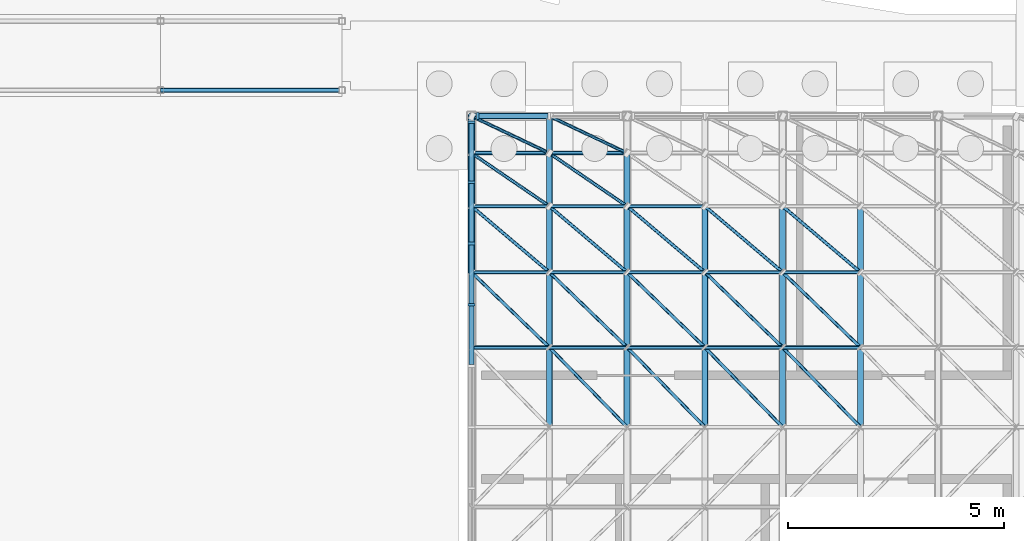
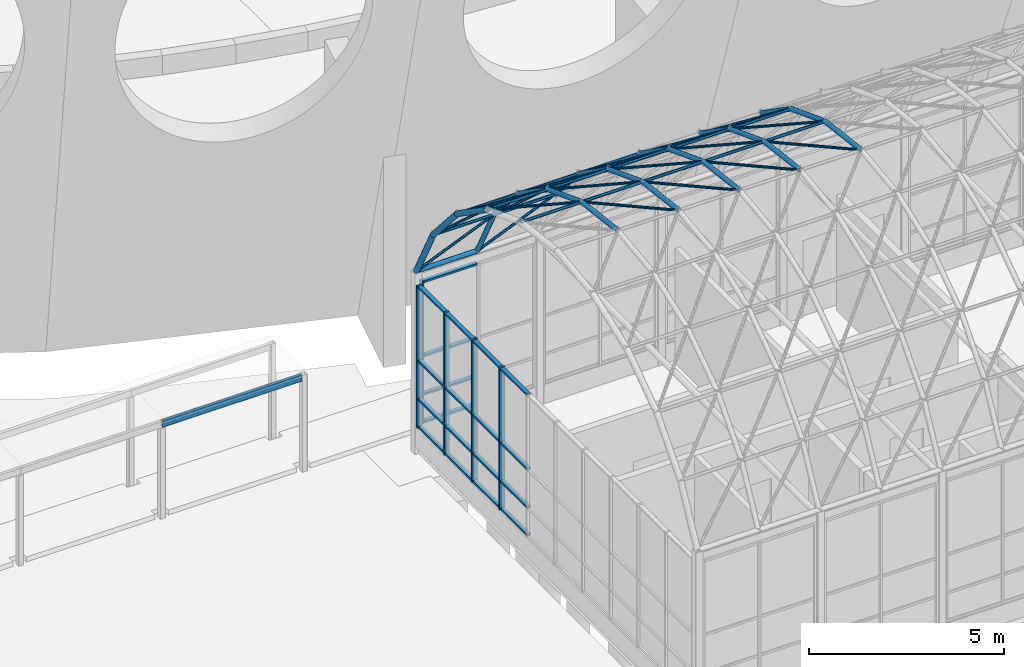
# One storey, part 26 of 116: 80 members, 1 beam, 2 elements without a shape of their own.
"""IFC4 building model written with IfcOpenShell, lengths in metres."""

import ifcopenshell
import ifcopenshell.guid

model = None  # the IFC model being written
_history = None  # IfcOwnerHistory: only IFC2X3 demands one
_inside = {}  # id of a spatial element -> (the spatial element, [elements in it])
_under = {}  # id of a project, library or spatial element -> (it, [spatial elements below it])
_declared = {}  # id of a project -> (the project, [libraries it declares])
_typed = {}  # id of a type object -> (the type object, [elements of that type])
_made_of = {}  # id of a material, layer set ... -> (it, [elements and type objects made of it])


def new_model(schema):
    """Start an empty IFC model of exactly this schema.

    Asked for "IFC4X3", IfcOpenShell would pick the latest addendum, in which some entities
    have other attributes; the version numbers below select the first issue.
    IFC2X3 requires an IfcOwnerHistory on every rooted entity: one is made here for all.
    """
    global model, _history
    if schema == "IFC4X3":
        model = ifcopenshell.file(schema_version=(4, 3, 0, 0))
    else:
        model = ifcopenshell.file(schema=schema)
    _inside.clear()
    _under.clear()
    _declared.clear()
    _typed.clear()
    _made_of.clear()
    _history = None
    if model.schema == "IFC2X3":
        org = make("IfcOrganization", Name="unknown")
        user = make(
            "IfcPersonAndOrganization",
            ThePerson=make("IfcPerson", FamilyName="unknown"),
            TheOrganization=org,
        )
        app = make(
            "IfcApplication",
            ApplicationDeveloper=org,
            Version="unknown",
            ApplicationFullName="unknown",
            ApplicationIdentifier="unknown",
        )
        _history = make(
            "IfcOwnerHistory",
            OwningUser=user,
            OwningApplication=app,
            ChangeAction="ADDED",
            CreationDate=0,
        )
    return model


def make(cls, **values):
    """One entity of the class cls with the attributes given. An attribute that is None is left unset."""
    return model.create_entity(
        cls, **{name: value for name, value in values.items() if value is not None}
    )


def rooted(cls, **values):
    """An entity with a GlobalId (a new one), such as an element, a storey or a relation."""
    return make(cls, GlobalId=ifcopenshell.guid.new(), OwnerHistory=_history, **values)


def si_unit(unit_type, name, prefix=None):
    """IfcSIUnit, for example si_unit("LENGTHUNIT", "METRE", prefix="MILLI")."""
    return make("IfcSIUnit", UnitType=unit_type, Prefix=prefix, Name=name)


def assignment(units):
    """IfcUnitAssignment: the units of a project."""
    return None if units is None else make("IfcUnitAssignment", Units=units)


def point(xyz):
    """IfcCartesianPoint."""
    return None if xyz is None else make("IfcCartesianPoint", Coordinates=xyz)


def direction(xyz):
    """IfcDirection."""
    return None if xyz is None else make("IfcDirection", DirectionRatios=xyz)


def frame(location, z_axis=None, x_axis=None):
    """IfcAxis2Placement3D, a coordinate frame: its origin and axes. An axis left out is left unset."""
    return make(
        "IfcAxis2Placement3D",
        Location=point(location),
        Axis=direction(z_axis),
        RefDirection=direction(x_axis),
    )


def frame_2d(location, x_axis=None):
    """IfcAxis2Placement2D, a coordinate frame in the plane: its origin and x axis."""
    return make(
        "IfcAxis2Placement2D", Location=point(location), RefDirection=direction(x_axis)
    )


def origin():
    """The frame at (0, 0, 0) with its axes left unset."""
    return frame((0.0, 0.0, 0.0))


def origin_2d():
    """The frame at (0, 0) in the plane with its x axis left unset."""
    return frame_2d((0.0, 0.0))


def place(relative_to, where):
    """IfcLocalPlacement: puts the frame where relative to a parent placement (None: the world)."""
    return make(
        "IfcLocalPlacement", PlacementRelTo=relative_to, RelativePlacement=where
    )


def context(
    kind, dimensions, precision=None, world=None, true_north=None, identifier=None
):
    """IfcGeometricRepresentationContext, for example the 3D "Model" context."""
    return make(
        "IfcGeometricRepresentationContext",
        ContextIdentifier=identifier,
        ContextType=kind,
        CoordinateSpaceDimension=dimensions,
        Precision=precision,
        WorldCoordinateSystem=world,
        TrueNorth=true_north,
    )


def subcontext(parent, identifier, kind, view, scale=None):
    """IfcGeometricRepresentationSubContext, for example "Body" below "Model"."""
    return make(
        "IfcGeometricRepresentationSubContext",
        ContextIdentifier=identifier,
        ContextType=kind,
        ParentContext=parent,
        TargetScale=scale,
        TargetView=view,
    )


def project(units=None, contexts=None):
    """IfcProject with its units and contexts."""
    return rooted(
        "IfcProject",
        Name="project",
        RepresentationContexts=contexts,
        UnitsInContext=assignment(units),
    )


def spatial(cls, under=None, at=None, **own):
    """A site, building, storey or space (cls), placed at a placement, below another one or the project."""
    s = rooted(cls, ObjectPlacement=at, **own)
    if under is not None:
        _under.setdefault(under.id(), (under, []))[1].append(s)
    return s


def profile(cls, at=None, kind="AREA", **sizes):
    """A parametric profile (cls). Its sizes go by their IFC names, for example OverallWidth=200.0."""
    return make(cls, ProfileType=kind, Position=at, **sizes)


def rectangle(**sizes):
    """IfcRectangleProfileDef."""
    return profile("IfcRectangleProfileDef", **sizes)


def hollow_rectangle(**sizes):
    """IfcRectangleHollowProfileDef."""
    return profile("IfcRectangleHollowProfileDef", **sizes)


def hollow_circle(**sizes):
    """IfcCircleHollowProfileDef."""
    return profile("IfcCircleHollowProfileDef", **sizes)


def extrude(swept, where, along, depth):
    """IfcExtrudedAreaSolid: the profile swept, set in the frame where, extruded along a direction by depth."""
    return make(
        "IfcExtrudedAreaSolid",
        SweptArea=swept,
        Position=where,
        ExtrudedDirection=direction(along),
        Depth=depth,
    )


def shape(context_of_items, identifier, shape_type, items):
    """IfcShapeRepresentation: the items that make up one representation, for example the "Body"."""
    return make(
        "IfcShapeRepresentation",
        ContextOfItems=context_of_items,
        RepresentationIdentifier=identifier,
        RepresentationType=shape_type,
        Items=items,
    )


def material(Name=None, Category=None):
    """IfcMaterial."""
    return make("IfcMaterial", Name=Name, Category=Category)


def layer(
    of_material, thickness, ventilated=None, Name=None, Category=None, Priority=None
):
    """IfcMaterialLayer: one layer of a wall or slab, of a material (None: an air gap)."""
    return make(
        "IfcMaterialLayer",
        Material=of_material,
        LayerThickness=thickness,
        IsVentilated=ventilated,
        Name=Name,
        Category=Category,
        Priority=Priority,
    )


def layer_set(layers, Name=None):
    """IfcMaterialLayerSet."""
    return make("IfcMaterialLayerSet", MaterialLayers=layers, LayerSetName=Name)


def material_profile(
    of_material, cross_section, Name=None, Category=None, Priority=None
):
    """IfcMaterialProfile: a cross section and its material."""
    return make(
        "IfcMaterialProfile",
        Name=Name,
        Material=of_material,
        Profile=cross_section,
        Priority=Priority,
        Category=Category,
    )


def profile_set(profiles, Name=None, composite=None):
    """IfcMaterialProfileSet."""
    return make(
        "IfcMaterialProfileSet",
        Name=Name,
        MaterialProfiles=profiles,
        CompositeProfile=composite,
    )


def made_of(thing, what):
    """Note that an element or type object is made of a material, layer set ...; save() writes the relation."""
    if what is not None:
        _made_of.setdefault(what.id(), (what, []))[1].append(thing)
    return thing


def type_object(cls, material=None, **own):
    """A type object (cls), such as IfcWallType, which elements share."""
    return made_of(rooted(cls, **own), material)


def element(
    cls,
    number,
    at=None,
    inside=None,
    cuts=None,
    type_object=None,
    material=None,
    context=None,
    identifier="Body",
    shape_type=None,
    held_by="IfcProductDefinitionShape",
    body=None,
    shapes=None,
    **own,
):
    """One element of the class cls, such as IfcWall. Its Tag is "e" and its number.

    at: its placement. inside: the storey or other place that contains it. cuts: it is an
    opening in that element (IfcRelVoidsElement). A single representation is given by context,
    identifier, shape_type and body (its items); several are given by shapes. held_by: the class
    of the entity that holds the representations. save() writes the other relations.
    """
    e = rooted(cls, Tag="e%d" % number, ObjectPlacement=at, **own)
    if body is not None:
        shapes = [shape(context, identifier, shape_type, body)]
    if shapes is not None:
        e.Representation = make(held_by, Representations=shapes)
    if inside is not None:
        _inside.setdefault(inside.id(), (inside, []))[1].append(e)
    if cuts is not None:
        rooted(
            "IfcRelVoidsElement", RelatingBuildingElement=cuts, RelatedOpeningElement=e
        )
    if type_object is not None:
        _typed.setdefault(type_object.id(), (type_object, []))[1].append(e)
    return made_of(e, material)


def aggregate(whole, parts):
    """IfcRelAggregates: a whole, such as a stair, and the parts it consists of."""
    return rooted("IfcRelAggregates", RelatingObject=whole, RelatedObjects=parts)


def save(model, path):
    """Write the relations noted so far, then the file.

    IfcRelAggregates (storeys below a building ...), IfcRelContainedInSpatialStructure (elements
    in a storey), IfcRelDefinesByType, IfcRelAssociatesMaterial and IfcRelDeclares: one each for
    every whole, place, type object, material and project.
    """
    for whole, parts in _under.values():
        aggregate(whole, parts)
    for where, things in _inside.values():
        rooted(
            "IfcRelContainedInSpatialStructure",
            RelatedElements=things,
            RelatingStructure=where,
        )
    for kind, things in _typed.values():
        rooted("IfcRelDefinesByType", RelatedObjects=things, RelatingType=kind)
    for what, things in _made_of.values():
        rooted("IfcRelAssociatesMaterial", RelatedObjects=things, RelatingMaterial=what)
    for by, libraries in _declared.values():
        rooted("IfcRelDeclares", RelatingContext=by, RelatedDefinitions=libraries)
    model.write(path)


model = new_model("IFC4")

# Units and contexts
model_context = context("Model", 3, precision=1e-05, world=origin(), true_north=direction((0.0, 1.0)))
body_context = subcontext(model_context, "Body", "Model", "MODEL_VIEW")
ifc_project = project(units=[si_unit("LENGTHUNIT", "METRE"), si_unit("AREAUNIT", "SQUARE_METRE"), si_unit("VOLUMEUNIT", "CUBIC_METRE"), si_unit("PLANEANGLEUNIT", "RADIAN"), si_unit("MASSUNIT", "GRAM", prefix="KILO")], contexts=[model_context])

# Site, building, storey
site_placement = place(None, origin())
site = spatial("IfcSite", under=ifc_project, at=site_placement, CompositionType="ELEMENT")
building_placement = place(site_placement, origin())
building = spatial("IfcBuilding", under=site, at=building_placement, Name="Ardhachandra Cancer Care Centre", CompositionType="ELEMENT")
storey_placement = place(building_placement, origin())
storey = spatial("IfcBuildingStorey", under=building, at=storey_placement, Name="L00", CompositionType="ELEMENT", Elevation=0.0)

# Curtain wall, member
ifc_material_1 = material(Name="Aluminium extrusion", Category="aluminium")
ifc_layer = layer(ifc_material_1, 0.14990234375)
ifc_layer_set = layer_set([ifc_layer], Name="Aluminium extrusion")
curtain_wall_type = type_object("IfcCurtainWallType", Name="Curtain wall run", PredefinedType="NOTDEFINED", material=ifc_layer_set)
curtain_wall_1_placement = place(storey_placement, origin())
curtain_wall_1 = element("IfcCurtainWall", 1, at=curtain_wall_1_placement, inside=storey, type_object=curtain_wall_type, Name="Curtain wall L00 n/0063600_0021600", PredefinedType="NOTDEFINED")
ifc_material_2 = material(Name="Aluminium extrusion", Category="aluminium")
ifc_material_profile_1 = material_profile(ifc_material_2, rectangle(XDim=0.159912109375, YDim=0.06005859375, at=origin_2d()), Name="Curtain wall mullion 60 x 160")
ifc_profile_set_1 = profile_set([ifc_material_profile_1], Name="Aluminium extrusion")
member_type_1 = type_object("IfcMemberType", Name="Curtain wall mullion 60 x 160", PredefinedType="MULLION", material=ifc_profile_set_1)
member_1_placement = place(storey_placement, frame((63.7451171875, 21.60009765625, 0.60009765625), z_axis=(0.0, 0.0, 1.0), x_axis=(0.0, 1.0, 0.0)))
member_1 = element("IfcMember", 2, at=member_1_placement, type_object=member_type_1, Name="CW mullion 1", PredefinedType="MULLION", context=body_context, shape_type="SweptSolid", body=[
    extrude(rectangle(XDim=0.159912109375, YDim=0.06005859375, at=origin_2d()), origin(), (0.0, 0.0, 1.0), 4.449951171875),
])

# Curtain wall, members
curtain_wall_2_placement = place(storey_placement, origin())
curtain_wall_2 = element("IfcCurtainWall", 3, at=curtain_wall_2_placement, inside=storey, type_object=curtain_wall_type, Name="Curtain wall L00 w/0063600_0007200", PredefinedType="NOTDEFINED")
member_2_placement = place(storey_placement, frame((63.60009765625, 17.23388671875, 0.60009765625), z_axis=(0.0, 0.0, 1.0), x_axis=(-1.0, 0.0, 0.0)))
member_2 = element("IfcMember", 4, at=member_2_placement, type_object=member_type_1, Name="CW mullion 8", PredefinedType="MULLION", context=body_context, shape_type="SweptSolid", body=[
    extrude(rectangle(XDim=0.159912109375, YDim=0.06005859375, at=origin_2d()), origin(), (0.0, 0.0, 1.0), 4.449951171875),
])
member_3_placement = place(storey_placement, frame((63.60009765625, 18.65087890625, 0.60009765625), z_axis=(0.0, 0.0, 1.0), x_axis=(-1.0, 0.0, 0.0)))
member_3 = element("IfcMember", 5, at=member_3_placement, type_object=member_type_1, Name="CW mullion 9", PredefinedType="MULLION", context=body_context, shape_type="SweptSolid", body=[
    extrude(rectangle(XDim=0.159912109375, YDim=0.06005859375, at=origin_2d()), origin(), (0.0, 0.0, 1.0), 4.449951171875),
])
member_4_placement = place(storey_placement, frame((63.60009765625, 20.068115234375, 0.60009765625), z_axis=(0.0, 0.0, 1.0), x_axis=(-1.0, 0.0, 0.0)))
member_4 = element("IfcMember", 6, at=member_4_placement, type_object=member_type_1, Name="CW mullion 10", PredefinedType="MULLION", context=body_context, shape_type="SweptSolid", body=[
    extrude(rectangle(XDim=0.159912109375, YDim=0.06005859375, at=origin_2d()), origin(), (0.0, 0.0, 1.0), 4.449951171875),
])
member_5_placement = place(storey_placement, frame((63.60009765625, 21.455078125, 0.60009765625), z_axis=(0.0, 0.0, 1.0), x_axis=(-1.0, 0.0, 0.0)))
member_5 = element("IfcMember", 7, at=member_5_placement, type_object=member_type_1, Name="CW mullion 11", PredefinedType="MULLION", context=body_context, shape_type="SweptSolid", body=[
    extrude(rectangle(XDim=0.159912109375, YDim=0.06005859375, at=origin_2d()), origin(), (0.0, 0.0, 1.0), 4.449951171875),
])

# Member
ifc_material_3 = material(Name="Aluminium extrusion", Category="aluminium")
ifc_material_profile_2 = material_profile(ifc_material_3, rectangle(XDim=0.1201171875, YDim=0.06005859375, at=origin_2d()), Name="Curtain wall transom 60 x 120")
ifc_profile_set_2 = profile_set([ifc_material_profile_2], Name="Aluminium extrusion")
member_type_2 = type_object("IfcMemberType", Name="Curtain wall transom 60 x 120", PredefinedType="USERDEFINED", material=ifc_profile_set_2)
member_6_placement = place(storey_placement, frame((63.77490234375, 21.60009765625, 0.6298828125), z_axis=(1.0, 0.0, 0.0), x_axis=(0.0, 1.0, 0.0)))
member_6 = element("IfcMember", 8, at=member_6_placement, type_object=member_type_2, Name="CW transom 1.1", ObjectType="TRANSOM", PredefinedType="USERDEFINED", context=body_context, shape_type="SweptSolid", body=[
    extrude(rectangle(XDim=0.1201171875, YDim=0.06005859375, at=origin_2d()), origin(), (0.0, 0.0, 1.0), 1.59521484375),
])

member_7_placement = place(storey_placement, frame((63.77490234375, 21.60009765625, 1.5), z_axis=(1.0, 0.0, 0.0), x_axis=(0.0, 1.0, 0.0)))
member_7 = element("IfcMember", 9, at=member_7_placement, type_object=member_type_2, Name="CW transom 1.2", ObjectType="TRANSOM", PredefinedType="USERDEFINED", context=body_context, shape_type="SweptSolid", body=[
    extrude(rectangle(XDim=0.1201171875, YDim=0.06005859375, at=origin_2d()), origin(), (0.0, 0.0, 1.0), 1.59521484375),
])

member_8_placement = place(storey_placement, frame((63.77490234375, 21.60009765625, 2.699951171875), z_axis=(1.0, 0.0, 0.0), x_axis=(0.0, 1.0, 0.0)))
member_8 = element("IfcMember", 10, at=member_8_placement, type_object=member_type_2, Name="CW transom 1.3", ObjectType="TRANSOM", PredefinedType="USERDEFINED", context=body_context, shape_type="SweptSolid", body=[
    extrude(rectangle(XDim=0.1201171875, YDim=0.06005859375, at=origin_2d()), origin(), (0.0, 0.0, 1.0), 1.59521484375),
])

member_9_placement = place(storey_placement, frame((63.77490234375, 21.60009765625, 5.02001953125), z_axis=(1.0, 0.0, 0.0), x_axis=(0.0, 1.0, 0.0)))
member_9 = element("IfcMember", 11, at=member_9_placement, type_object=member_type_2, Name="CW transom 1.4", ObjectType="TRANSOM", PredefinedType="USERDEFINED", context=body_context, shape_type="SweptSolid", body=[
    extrude(rectangle(XDim=0.1201171875, YDim=0.06005859375, at=origin_2d()), origin(), (0.0, 0.0, 1.0), 1.59521484375),
])

aggregate(curtain_wall_1, [member_1, member_6, member_7, member_8, member_9])

member_10_placement = place(storey_placement, frame((63.60009765625, 15.846923828125, 0.6298828125), z_axis=(0.0, 1.0, 0.0), x_axis=(-1.0, 0.0, 0.0)))
member_10 = element("IfcMember", 12, at=member_10_placement, type_object=member_type_2, Name="CW transom 7.1", ObjectType="TRANSOM", PredefinedType="USERDEFINED", context=body_context, shape_type="SweptSolid", body=[
    extrude(rectangle(XDim=0.1201171875, YDim=0.06005859375, at=origin_2d()), origin(), (0.0, 0.0, 1.0), 1.357177734375),
])

member_11_placement = place(storey_placement, frame((63.60009765625, 15.846923828125, 1.5), z_axis=(0.0, 1.0, 0.0), x_axis=(-1.0, 0.0, 0.0)))
member_11 = element("IfcMember", 13, at=member_11_placement, type_object=member_type_2, Name="CW transom 7.2", ObjectType="TRANSOM", PredefinedType="USERDEFINED", context=body_context, shape_type="SweptSolid", body=[
    extrude(rectangle(XDim=0.1201171875, YDim=0.06005859375, at=origin_2d()), origin(), (0.0, 0.0, 1.0), 1.357177734375),
])

member_12_placement = place(storey_placement, frame((63.60009765625, 15.846923828125, 2.699951171875), z_axis=(0.0, 1.0, 0.0), x_axis=(-1.0, 0.0, 0.0)))
member_12 = element("IfcMember", 14, at=member_12_placement, type_object=member_type_2, Name="CW transom 7.3", ObjectType="TRANSOM", PredefinedType="USERDEFINED", context=body_context, shape_type="SweptSolid", body=[
    extrude(rectangle(XDim=0.1201171875, YDim=0.06005859375, at=origin_2d()), origin(), (0.0, 0.0, 1.0), 1.357177734375),
])

member_13_placement = place(storey_placement, frame((63.60009765625, 15.846923828125, 5.02001953125), z_axis=(0.0, 1.0, 0.0), x_axis=(-1.0, 0.0, 0.0)))
member_13 = element("IfcMember", 15, at=member_13_placement, type_object=member_type_2, Name="CW transom 7.4", ObjectType="TRANSOM", PredefinedType="USERDEFINED", context=body_context, shape_type="SweptSolid", body=[
    extrude(rectangle(XDim=0.1201171875, YDim=0.06005859375, at=origin_2d()), origin(), (0.0, 0.0, 1.0), 1.357177734375),
])

member_14_placement = place(storey_placement, frame((63.60009765625, 17.263916015625, 0.6298828125), z_axis=(0.0, 1.0, 0.0), x_axis=(-1.0, 0.0, 0.0)))
member_14 = element("IfcMember", 16, at=member_14_placement, type_object=member_type_2, Name="CW transom 8.1", ObjectType="TRANSOM", PredefinedType="USERDEFINED", context=body_context, shape_type="SweptSolid", body=[
    extrude(rectangle(XDim=0.1201171875, YDim=0.06005859375, at=origin_2d()), origin(), (0.0, 0.0, 1.0), 1.357177734375),
])

member_15_placement = place(storey_placement, frame((63.60009765625, 17.263916015625, 1.5), z_axis=(0.0, 1.0, 0.0), x_axis=(-1.0, 0.0, 0.0)))
member_15 = element("IfcMember", 17, at=member_15_placement, type_object=member_type_2, Name="CW transom 8.2", ObjectType="TRANSOM", PredefinedType="USERDEFINED", context=body_context, shape_type="SweptSolid", body=[
    extrude(rectangle(XDim=0.1201171875, YDim=0.06005859375, at=origin_2d()), origin(), (0.0, 0.0, 1.0), 1.357177734375),
])

member_16_placement = place(storey_placement, frame((63.60009765625, 17.263916015625, 2.699951171875), z_axis=(0.0, 1.0, 0.0), x_axis=(-1.0, 0.0, 0.0)))
member_16 = element("IfcMember", 18, at=member_16_placement, type_object=member_type_2, Name="CW transom 8.3", ObjectType="TRANSOM", PredefinedType="USERDEFINED", context=body_context, shape_type="SweptSolid", body=[
    extrude(rectangle(XDim=0.1201171875, YDim=0.06005859375, at=origin_2d()), origin(), (0.0, 0.0, 1.0), 1.357177734375),
])

member_17_placement = place(storey_placement, frame((63.60009765625, 17.263916015625, 5.02001953125), z_axis=(0.0, 1.0, 0.0), x_axis=(-1.0, 0.0, 0.0)))
member_17 = element("IfcMember", 19, at=member_17_placement, type_object=member_type_2, Name="CW transom 8.4", ObjectType="TRANSOM", PredefinedType="USERDEFINED", context=body_context, shape_type="SweptSolid", body=[
    extrude(rectangle(XDim=0.1201171875, YDim=0.06005859375, at=origin_2d()), origin(), (0.0, 0.0, 1.0), 1.357177734375),
])

member_18_placement = place(storey_placement, frame((63.60009765625, 18.680908203125, 0.6298828125), z_axis=(0.0, 1.0, 0.0), x_axis=(-1.0, 0.0, 0.0)))
member_18 = element("IfcMember", 20, at=member_18_placement, type_object=member_type_2, Name="CW transom 9.1", ObjectType="TRANSOM", PredefinedType="USERDEFINED", context=body_context, shape_type="SweptSolid", body=[
    extrude(rectangle(XDim=0.1201171875, YDim=0.06005859375, at=origin_2d()), origin(), (0.0, 0.0, 1.0), 1.357177734375),
])

member_19_placement = place(storey_placement, frame((63.60009765625, 18.680908203125, 1.5), z_axis=(0.0, 1.0, 0.0), x_axis=(-1.0, 0.0, 0.0)))
member_19 = element("IfcMember", 21, at=member_19_placement, type_object=member_type_2, Name="CW transom 9.2", ObjectType="TRANSOM", PredefinedType="USERDEFINED", context=body_context, shape_type="SweptSolid", body=[
    extrude(rectangle(XDim=0.1201171875, YDim=0.06005859375, at=origin_2d()), origin(), (0.0, 0.0, 1.0), 1.357177734375),
])

member_20_placement = place(storey_placement, frame((63.60009765625, 18.680908203125, 2.699951171875), z_axis=(0.0, 1.0, 0.0), x_axis=(-1.0, 0.0, 0.0)))
member_20 = element("IfcMember", 22, at=member_20_placement, type_object=member_type_2, Name="CW transom 9.3", ObjectType="TRANSOM", PredefinedType="USERDEFINED", context=body_context, shape_type="SweptSolid", body=[
    extrude(rectangle(XDim=0.1201171875, YDim=0.06005859375, at=origin_2d()), origin(), (0.0, 0.0, 1.0), 1.357177734375),
])

member_21_placement = place(storey_placement, frame((63.60009765625, 18.680908203125, 5.02001953125), z_axis=(0.0, 1.0, 0.0), x_axis=(-1.0, 0.0, 0.0)))
member_21 = element("IfcMember", 23, at=member_21_placement, type_object=member_type_2, Name="CW transom 9.4", ObjectType="TRANSOM", PredefinedType="USERDEFINED", context=body_context, shape_type="SweptSolid", body=[
    extrude(rectangle(XDim=0.1201171875, YDim=0.06005859375, at=origin_2d()), origin(), (0.0, 0.0, 1.0), 1.357177734375),
])

member_22_placement = place(storey_placement, frame((63.60009765625, 20.097900390625, 0.6298828125), z_axis=(0.0, 1.0, 0.0), x_axis=(-1.0, 0.0, 0.0)))
member_22 = element("IfcMember", 24, at=member_22_placement, type_object=member_type_2, Name="CW transom 10.1", ObjectType="TRANSOM", PredefinedType="USERDEFINED", context=body_context, shape_type="SweptSolid", body=[
    extrude(rectangle(XDim=0.1201171875, YDim=0.06005859375, at=origin_2d()), origin(), (0.0, 0.0, 1.0), 1.3271484375),
])

member_23_placement = place(storey_placement, frame((63.60009765625, 20.097900390625, 1.5), z_axis=(0.0, 1.0, 0.0), x_axis=(-1.0, 0.0, 0.0)))
member_23 = element("IfcMember", 25, at=member_23_placement, type_object=member_type_2, Name="CW transom 10.2", ObjectType="TRANSOM", PredefinedType="USERDEFINED", context=body_context, shape_type="SweptSolid", body=[
    extrude(rectangle(XDim=0.1201171875, YDim=0.06005859375, at=origin_2d()), origin(), (0.0, 0.0, 1.0), 1.3271484375),
])

member_24_placement = place(storey_placement, frame((63.60009765625, 20.097900390625, 2.699951171875), z_axis=(0.0, 1.0, 0.0), x_axis=(-1.0, 0.0, 0.0)))
member_24 = element("IfcMember", 26, at=member_24_placement, type_object=member_type_2, Name="CW transom 10.3", ObjectType="TRANSOM", PredefinedType="USERDEFINED", context=body_context, shape_type="SweptSolid", body=[
    extrude(rectangle(XDim=0.1201171875, YDim=0.06005859375, at=origin_2d()), origin(), (0.0, 0.0, 1.0), 1.3271484375),
])

member_25_placement = place(storey_placement, frame((63.60009765625, 20.097900390625, 5.02001953125), z_axis=(0.0, 1.0, 0.0), x_axis=(-1.0, 0.0, 0.0)))
member_25 = element("IfcMember", 27, at=member_25_placement, type_object=member_type_2, Name="CW transom 10.4", ObjectType="TRANSOM", PredefinedType="USERDEFINED", context=body_context, shape_type="SweptSolid", body=[
    extrude(rectangle(XDim=0.1201171875, YDim=0.06005859375, at=origin_2d()), origin(), (0.0, 0.0, 1.0), 1.3271484375),
])

aggregate(curtain_wall_2, [member_2, member_3, member_4, member_5, member_10, member_11, member_12, member_13, member_14, member_15, member_16, member_17, member_18, member_19, member_20, member_21, member_22, member_23, member_24, member_25])

# Members
ifc_material_4 = material(Name="Steel E350 (IS 2062)", Category="steel")
ifc_material_profile_3 = material_profile(ifc_material_4, hollow_circle(Radius=0.0380859375, WallThickness=0.00390625, at=origin_2d()), Name="CHS 76.1x4.0")
ifc_profile_set_3 = profile_set([ifc_material_profile_3], Name="Steel E350 (IS 2062)")
member_type_3 = type_object("IfcMemberType", Name="Pavilion shell Diagonal CHS 76.1x4.0", PredefinedType="BRACE", material=ifc_profile_set_3)
for number, where, z_axis, x_axis, name in (
    (28, (65.39990234375, 16.247314453125, 10.174560546875), (-0.695178684757, 0.671698015671, -0.256024162929), (-0.694857345354, -0.71914759932, 0.0), "Pavilion shell diagonal 01-06"),
    (29, (65.39990234375, 17.986328125, 9.51171875), (-0.695188356468, 0.590419736821, -0.410021564558), (-0.647336239479, -0.762204561163, 0.0), "Pavilion shell diagonal 01-07"),
):
    element("IfcMember", number, at=place(storey_placement, frame(where, z_axis=z_axis, x_axis=x_axis)), inside=storey, type_object=member_type_3, Name=name, PredefinedType="BRACE", context=body_context, shape_type="SweptSolid", body=[
        extrude(hollow_circle(Radius=0.0380859375, WallThickness=0.00390625, at=origin_2d()), origin(), (0.0, 0.0, 1.0), 2.5888671875),
    ])
for number, where, z_axis, x_axis, name in (
    (30, (65.39990234375, 19.514892578125, 8.4501953125), (-0.69514836166, 0.474590573011, -0.539937536471), (-0.563844248133, -0.825881143898, 0.0), "Pavilion shell diagonal 01-08"),
    (31, (65.39990234375, 20.74365234375, 7.05224609375), (-0.69516776168, 0.330798766681, -0.638211531613), (-0.429686325077, -0.902978217922, 0.0), "Pavilion shell diagonal 01-09"),
    (32, (67.199951171875, 14.39990234375, 10.39990234375), (-0.695217937392, 0.713510664891, -0.087031894237), (-0.716228375072, -0.697865971905, 0.0), "Pavilion shell diagonal 02-05"),
    (33, (67.199951171875, 16.247314453125, 10.174560546875), (-0.69522740722, 0.671653983674, -0.25600737971), (-0.694808600346, -0.7191946947, 0.0), "Pavilion shell diagonal 02-06"),
    (34, (67.199951171875, 17.986328125, 9.51171875), (-0.695237078341, 0.590381031804, -0.409994685559), (-0.647285228249, -0.762247881788, 0.0), "Pavilion shell diagonal 02-07"),
):
    element("IfcMember", number, at=place(storey_placement, frame(where, z_axis=z_axis, x_axis=x_axis)), inside=storey, type_object=member_type_3, Name=name, PredefinedType="BRACE", context=body_context, shape_type="SweptSolid", body=[
        extrude(hollow_circle(Radius=0.0380859375, WallThickness=0.00390625, at=origin_2d()), origin(), (0.0, 0.0, 1.0), 2.589111328125),
    ])
member_26_placement = place(storey_placement, frame((67.199951171875, 19.514892578125, 8.4501953125), z_axis=(-0.695197085973, 0.474559464764, -0.539902144891), x_axis=(-0.563792083266, -0.825916755398, 0.0)))
element("IfcMember", 35, at=member_26_placement, inside=storey, type_object=member_type_3, Name="Pavilion shell diagonal 02-08", PredefinedType="BRACE", context=body_context, shape_type="SweptSolid", body=[
    extrude(hollow_circle(Radius=0.0380859375, WallThickness=0.00390625, at=origin_2d()), origin(), (0.0, 0.0, 1.0), 2.58935546875),
])
for number, where, z_axis, x_axis, name in (
    (36, (67.199951171875, 20.74365234375, 7.05224609375), (-0.695216484809, 0.330777082424, -0.638169696079), (-0.429638804888, -0.903000829088, 0.0), "Pavilion shell diagonal 02-09"),
    (37, (69.0, 14.39990234375, 10.39990234375), (-0.695217937392, 0.713510664891, -0.087031894237), (-0.716228375072, -0.697865971905, 0.0), "Pavilion shell diagonal 03-05"),
    (38, (69.0, 16.247314453125, 10.174560546875), (-0.69522740722, 0.671653983674, -0.25600737971), (-0.694808600346, -0.7191946947, 0.0), "Pavilion shell diagonal 03-06"),
    (39, (69.0, 17.986328125, 9.51171875), (-0.695237078341, 0.590381031804, -0.409994685559), (-0.647285228249, -0.762247881788, 0.0), "Pavilion shell diagonal 03-07"),
    (40, (70.800048828125, 14.39990234375, 10.39990234375), (-0.695217937392, 0.713510664891, -0.087031894237), (-0.716228375072, -0.697865971905, 0.0), "Pavilion shell diagonal 04-05"),
    (41, (70.800048828125, 16.247314453125, 10.174560546875), (-0.69522740722, 0.671653983674, -0.25600737971), (-0.694808600346, -0.7191946947, 0.0), "Pavilion shell diagonal 04-06"),
    (42, (70.800048828125, 17.986328125, 9.51171875), (-0.695237078341, 0.590381031804, -0.409994685559), (-0.647285228249, -0.762247881788, 0.0), "Pavilion shell diagonal 04-07"),
    (43, (72.60009765625, 14.39990234375, 10.39990234375), (-0.695217937392, 0.713510664891, -0.087031894237), (-0.716228375072, -0.697865971905, 0.0), "Pavilion shell diagonal 05-05"),
    (44, (72.60009765625, 16.247314453125, 10.174560546875), (-0.69522740722, 0.671653983674, -0.25600737971), (-0.694808600346, -0.7191946947, 0.0), "Pavilion shell diagonal 05-06"),
    (45, (72.60009765625, 17.986328125, 9.51171875), (-0.695237078341, 0.590381031804, -0.409994685559), (-0.647285228249, -0.762247881788, 0.0), "Pavilion shell diagonal 05-07"),
):
    element("IfcMember", number, at=place(storey_placement, frame(where, z_axis=z_axis, x_axis=x_axis)), inside=storey, type_object=member_type_3, Name=name, PredefinedType="BRACE", context=body_context, shape_type="SweptSolid", body=[
        extrude(hollow_circle(Radius=0.0380859375, WallThickness=0.00390625, at=origin_2d()), origin(), (0.0, 0.0, 1.0), 2.589111328125),
    ])
ifc_material_5 = material(Name="Steel E350 (IS 2062)", Category="steel")
ifc_material_profile_4 = material_profile(ifc_material_5, hollow_circle(Radius=0.06982421875, WallThickness=0.0048828125, at=origin_2d()), Name="CHS 139.7x5.0")
ifc_profile_set_4 = profile_set([ifc_material_profile_4], Name="Steel E350 (IS 2062)")
member_type_4 = type_object("IfcMemberType", Name="Pavilion shell Purlin CHS 139.7x5.0", PredefinedType="PURLIN", material=ifc_profile_set_4)
member_27_placement = place(storey_placement, frame((63.60009765625, 21.60009765625, 5.39990234375), z_axis=(1.0, 0.0, 0.0), x_axis=(0.0, 1.0, 0.0)))
element("IfcMember", 46, at=member_27_placement, inside=storey, type_object=member_type_4, Name="Pavilion shell purlin 00-10", PredefinedType="PURLIN", context=body_context, shape_type="SweptSolid", body=[
    extrude(hollow_circle(Radius=0.06982421875, WallThickness=0.0048828125, at=origin_2d()), origin(), (0.0, 0.0, 1.0), 1.7998046875),
])
ifc_material_6 = material(Name="Steel E350 (IS 2062)", Category="steel")
ifc_material_profile_5 = material_profile(ifc_material_6, hollow_circle(Radius=0.04443359375, WallThickness=0.00390625, at=origin_2d()), Name="CHS 88.9x4.0")
ifc_profile_set_5 = profile_set([ifc_material_profile_5], Name="Steel E350 (IS 2062)")
member_type_5 = type_object("IfcMemberType", Name="Pavilion shell Purlin CHS 88.9x4.0", PredefinedType="PURLIN", material=ifc_profile_set_5)
member_28_placement = place(storey_placement, frame((63.60009765625, 16.247314453125, 10.174560546875), z_axis=(1.0, 0.0, 0.0), x_axis=(0.0, 1.0, 0.0)))
element("IfcMember", 47, at=member_28_placement, inside=storey, type_object=member_type_5, Name="Pavilion shell purlin 00-06", PredefinedType="PURLIN", context=body_context, shape_type="SweptSolid", body=[
    extrude(hollow_circle(Radius=0.04443359375, WallThickness=0.00390625, at=origin_2d()), origin(), (0.0, 0.0, 1.0), 1.7998046875),
])
for number, where, z_axis, x_axis, name in (
    (48, (65.39990234375, 16.247314453125, 10.174560546875), (1.0, 0.0, 0.0), (0.0, 1.0, 0.0), "Pavilion shell purlin 01-06"),
    (49, (67.199951171875, 16.247314453125, 10.174560546875), (1.0, 0.0, 0.0), (0.0, 1.0, 0.0), "Pavilion shell purlin 02-06"),
    (50, (69.0, 16.247314453125, 10.174560546875), (1.0, 0.0, 0.0), (0.0, 1.0, 0.0), "Pavilion shell purlin 03-06"),
    (51, (70.800048828125, 16.247314453125, 10.174560546875), (1.0, 0.0, 0.0), (0.0, 1.0, 0.0), "Pavilion shell purlin 04-06"),
):
    element("IfcMember", number, at=place(storey_placement, frame(where, z_axis=z_axis, x_axis=x_axis)), inside=storey, type_object=member_type_5, Name=name, PredefinedType="PURLIN", context=body_context, shape_type="SweptSolid", body=[
        extrude(hollow_circle(Radius=0.04443359375, WallThickness=0.00390625, at=origin_2d()), origin(), (0.0, 0.0, 1.0), 1.800048828125),
    ])
member_29_placement = place(storey_placement, frame((63.60009765625, 17.986328125, 9.51171875), z_axis=(1.0, 0.0, 0.0), x_axis=(0.0, 1.0, 0.0)))
element("IfcMember", 52, at=member_29_placement, inside=storey, type_object=member_type_5, Name="Pavilion shell purlin 00-07", PredefinedType="PURLIN", context=body_context, shape_type="SweptSolid", body=[
    extrude(hollow_circle(Radius=0.04443359375, WallThickness=0.00390625, at=origin_2d()), origin(), (0.0, 0.0, 1.0), 1.7998046875),
])
for number, where, z_axis, x_axis, name in (
    (53, (65.39990234375, 17.986328125, 9.51171875), (1.0, 0.0, 0.0), (0.0, 1.0, 0.0), "Pavilion shell purlin 01-07"),
    (54, (67.199951171875, 17.986328125, 9.51171875), (1.0, 0.0, 0.0), (0.0, 1.0, 0.0), "Pavilion shell purlin 02-07"),
    (55, (69.0, 17.986328125, 9.51171875), (1.0, 0.0, 0.0), (0.0, 1.0, 0.0), "Pavilion shell purlin 03-07"),
    (56, (70.800048828125, 17.986328125, 9.51171875), (1.0, 0.0, 0.0), (0.0, 1.0, 0.0), "Pavilion shell purlin 04-07"),
):
    element("IfcMember", number, at=place(storey_placement, frame(where, z_axis=z_axis, x_axis=x_axis)), inside=storey, type_object=member_type_5, Name=name, PredefinedType="PURLIN", context=body_context, shape_type="SweptSolid", body=[
        extrude(hollow_circle(Radius=0.04443359375, WallThickness=0.00390625, at=origin_2d()), origin(), (0.0, 0.0, 1.0), 1.800048828125),
    ])
member_30_placement = place(storey_placement, frame((63.60009765625, 19.514892578125, 8.4501953125), z_axis=(1.0, 0.0, 0.0), x_axis=(0.0, 1.0, 0.0)))
element("IfcMember", 57, at=member_30_placement, inside=storey, type_object=member_type_5, Name="Pavilion shell purlin 00-08", PredefinedType="PURLIN", context=body_context, shape_type="SweptSolid", body=[
    extrude(hollow_circle(Radius=0.04443359375, WallThickness=0.00390625, at=origin_2d()), origin(), (0.0, 0.0, 1.0), 1.7998046875),
])
for number, where, z_axis, x_axis, name in (
    (58, (65.39990234375, 19.514892578125, 8.4501953125), (1.0, 0.0, 0.0), (0.0, 1.0, 0.0), "Pavilion shell purlin 01-08"),
    (59, (67.199951171875, 19.514892578125, 8.4501953125), (1.0, 0.0, 0.0), (0.0, 1.0, 0.0), "Pavilion shell purlin 02-08"),
):
    element("IfcMember", number, at=place(storey_placement, frame(where, z_axis=z_axis, x_axis=x_axis)), inside=storey, type_object=member_type_5, Name=name, PredefinedType="PURLIN", context=body_context, shape_type="SweptSolid", body=[
        extrude(hollow_circle(Radius=0.04443359375, WallThickness=0.00390625, at=origin_2d()), origin(), (0.0, 0.0, 1.0), 1.800048828125),
    ])
member_31_placement = place(storey_placement, frame((63.60009765625, 20.74365234375, 7.05224609375), z_axis=(1.0, 0.0, 0.0), x_axis=(0.0, 1.0, 0.0)))
element("IfcMember", 60, at=member_31_placement, inside=storey, type_object=member_type_5, Name="Pavilion shell purlin 00-09", PredefinedType="PURLIN", context=body_context, shape_type="SweptSolid", body=[
    extrude(hollow_circle(Radius=0.04443359375, WallThickness=0.00390625, at=origin_2d()), origin(), (0.0, 0.0, 1.0), 1.7998046875),
])
member_32_placement = place(storey_placement, frame((65.39990234375, 20.74365234375, 7.05224609375), z_axis=(1.0, 0.0, 0.0), x_axis=(0.0, 1.0, 0.0)))
element("IfcMember", 61, at=member_32_placement, inside=storey, type_object=member_type_5, Name="Pavilion shell purlin 01-09", PredefinedType="PURLIN", context=body_context, shape_type="SweptSolid", body=[
    extrude(hollow_circle(Radius=0.04443359375, WallThickness=0.00390625, at=origin_2d()), origin(), (0.0, 0.0, 1.0), 1.800048828125),
])
ifc_material_7 = material(Name="Steel E350 (IS 2062)", Category="steel")
ifc_material_profile_6 = material_profile(ifc_material_7, hollow_circle(Radius=0.06982421875, WallThickness=0.0048828125, at=origin_2d()), Name="CHS 139.7x5.0")
ifc_profile_set_6 = profile_set([ifc_material_profile_6], Name="Steel E350 (IS 2062)")
member_type_6 = type_object("IfcMemberType", Name="Pavilion shell Rib CHS 139.7x5.0", PredefinedType="RAFTER", material=ifc_profile_set_6)
for number, where, z_axis, x_axis, name in (
    (62, (65.39990234375, 14.39990234375, 10.39990234375), (0.0, 0.992642801486, -0.121079596375), (-1.0, 0.0, 0.0), "Pavilion shell rib 01-05"),
    (63, (65.39990234375, 16.247314453125, 10.174560546875), (0.0, 0.934423296617, -0.356164432165), (-1.0, 0.0, 0.0), "Pavilion shell rib 01-06"),
    (64, (65.39990234375, 17.986328125, 9.51171875), (0.0, 0.821364843797, -0.570403184927), (-1.0, 0.0, 0.0), "Pavilion shell rib 01-07"),
):
    element("IfcMember", number, at=place(storey_placement, frame(where, z_axis=z_axis, x_axis=x_axis)), inside=storey, type_object=member_type_6, Name=name, PredefinedType="RAFTER", context=body_context, shape_type="SweptSolid", body=[
        extrude(hollow_circle(Radius=0.06982421875, WallThickness=0.0048828125, at=origin_2d()), origin(), (0.0, 0.0, 1.0), 1.861083984375),
    ])
member_33_placement = place(storey_placement, frame((65.39990234375, 19.514892578125, 8.4501953125), z_axis=(0.0, 0.660193103956, -0.751095909647), x_axis=(-1.0, 0.0, 0.0)))
element("IfcMember", 65, at=member_33_placement, inside=storey, type_object=member_type_6, Name="Pavilion shell rib 01-08", PredefinedType="RAFTER", context=body_context, shape_type="SweptSolid", body=[
    extrude(hollow_circle(Radius=0.06982421875, WallThickness=0.0048828125, at=origin_2d()), origin(), (0.0, 0.0, 1.0), 1.861328125),
])
for number, where, z_axis, x_axis, name in (
    (66, (65.39990234375, 20.74365234375, 7.05224609375), (0.0, 0.460179313582, -0.8878259961), (-1.0, 0.0, 0.0), "Pavilion shell rib 01-09"),
    (67, (67.199951171875, 14.39990234375, 10.39990234375), (0.0, 0.992642801486, -0.121079596375), (-1.0, 0.0, 0.0), "Pavilion shell rib 02-05"),
    (68, (67.199951171875, 16.247314453125, 10.174560546875), (0.0, 0.934423296617, -0.356164432165), (-1.0, 0.0, 0.0), "Pavilion shell rib 02-06"),
    (69, (67.199951171875, 17.986328125, 9.51171875), (0.0, 0.821364843797, -0.570403184927), (-1.0, 0.0, 0.0), "Pavilion shell rib 02-07"),
):
    element("IfcMember", number, at=place(storey_placement, frame(where, z_axis=z_axis, x_axis=x_axis)), inside=storey, type_object=member_type_6, Name=name, PredefinedType="RAFTER", context=body_context, shape_type="SweptSolid", body=[
        extrude(hollow_circle(Radius=0.06982421875, WallThickness=0.0048828125, at=origin_2d()), origin(), (0.0, 0.0, 1.0), 1.861083984375),
    ])
member_34_placement = place(storey_placement, frame((67.199951171875, 19.514892578125, 8.4501953125), z_axis=(0.0, 0.660193103956, -0.751095909647), x_axis=(-1.0, 0.0, 0.0)))
element("IfcMember", 70, at=member_34_placement, inside=storey, type_object=member_type_6, Name="Pavilion shell rib 02-08", PredefinedType="RAFTER", context=body_context, shape_type="SweptSolid", body=[
    extrude(hollow_circle(Radius=0.06982421875, WallThickness=0.0048828125, at=origin_2d()), origin(), (0.0, 0.0, 1.0), 1.861328125),
])
for number, where, z_axis, x_axis, name in (
    (71, (69.0, 14.39990234375, 10.39990234375), (0.0, 0.992642801486, -0.121079596375), (-1.0, 0.0, 0.0), "Pavilion shell rib 03-05"),
    (72, (69.0, 16.247314453125, 10.174560546875), (0.0, 0.934423296617, -0.356164432165), (-1.0, 0.0, 0.0), "Pavilion shell rib 03-06"),
    (73, (69.0, 17.986328125, 9.51171875), (0.0, 0.821364843797, -0.570403184927), (-1.0, 0.0, 0.0), "Pavilion shell rib 03-07"),
    (74, (70.800048828125, 14.39990234375, 10.39990234375), (0.0, 0.992642801486, -0.121079596375), (-1.0, 0.0, 0.0), "Pavilion shell rib 04-05"),
    (75, (70.800048828125, 16.247314453125, 10.174560546875), (0.0, 0.934423296617, -0.356164432165), (-1.0, 0.0, 0.0), "Pavilion shell rib 04-06"),
    (76, (70.800048828125, 17.986328125, 9.51171875), (0.0, 0.821364843797, -0.570403184927), (-1.0, 0.0, 0.0), "Pavilion shell rib 04-07"),
    (77, (72.60009765625, 14.39990234375, 10.39990234375), (0.0, 0.992642801486, -0.121079596375), (-1.0, 0.0, 0.0), "Pavilion shell rib 05-05"),
    (78, (72.60009765625, 16.247314453125, 10.174560546875), (0.0, 0.934423296617, -0.356164432165), (-1.0, 0.0, 0.0), "Pavilion shell rib 05-06"),
    (79, (72.60009765625, 17.986328125, 9.51171875), (0.0, 0.821364843797, -0.570403184927), (-1.0, 0.0, 0.0), "Pavilion shell rib 05-07"),
):
    element("IfcMember", number, at=place(storey_placement, frame(where, z_axis=z_axis, x_axis=x_axis)), inside=storey, type_object=member_type_6, Name=name, PredefinedType="RAFTER", context=body_context, shape_type="SweptSolid", body=[
        extrude(hollow_circle(Radius=0.06982421875, WallThickness=0.0048828125, at=origin_2d()), origin(), (0.0, 0.0, 1.0), 1.861083984375),
    ])
ifc_material_8 = material(Name="Steel E350 (IS 2062)", Category="steel")
ifc_material_profile_7 = material_profile(ifc_material_8, hollow_circle(Radius=0.084228515625, WallThickness=0.00634765625, at=origin_2d()), Name="CHS 168.3x6.3")
ifc_profile_set_7 = profile_set([ifc_material_profile_7], Name="Steel E350 (IS 2062)")
member_type_7 = type_object("IfcMemberType", Name="Pavilion shell Rib CHS 168.3x6.3", PredefinedType="RAFTER", material=ifc_profile_set_7)
member_35_placement = place(storey_placement, frame((63.60009765625, 17.986328125, 9.51171875), z_axis=(0.0, 0.821364843797, -0.570403184927), x_axis=(-1.0, 0.0, 0.0)))
element("IfcMember", 80, at=member_35_placement, inside=storey, type_object=member_type_7, Name="Pavilion shell rib 00-07", PredefinedType="RAFTER", context=body_context, shape_type="SweptSolid", body=[
    extrude(hollow_circle(Radius=0.084228515625, WallThickness=0.00634765625, at=origin_2d()), origin(), (0.0, 0.0, 1.0), 1.861083984375),
])
member_36_placement = place(storey_placement, frame((63.60009765625, 19.514892578125, 8.4501953125), z_axis=(0.0, 0.660193103956, -0.751095909647), x_axis=(-1.0, 0.0, 0.0)))
element("IfcMember", 81, at=member_36_placement, inside=storey, type_object=member_type_7, Name="Pavilion shell rib 00-08", PredefinedType="RAFTER", context=body_context, shape_type="SweptSolid", body=[
    extrude(hollow_circle(Radius=0.084228515625, WallThickness=0.00634765625, at=origin_2d()), origin(), (0.0, 0.0, 1.0), 1.861328125),
])
member_37_placement = place(storey_placement, frame((63.60009765625, 20.74365234375, 7.05224609375), z_axis=(0.0, 0.460179313582, -0.8878259961), x_axis=(-1.0, 0.0, 0.0)))
element("IfcMember", 82, at=member_37_placement, inside=storey, type_object=member_type_7, Name="Pavilion shell rib 00-09", PredefinedType="RAFTER", context=body_context, shape_type="SweptSolid", body=[
    extrude(hollow_circle(Radius=0.084228515625, WallThickness=0.00634765625, at=origin_2d()), origin(), (0.0, 0.0, 1.0), 1.861083984375),
])

# Beam
ifc_material_9 = material(Name="Steel E350 (IS 2062)", Category="steel")
ifc_material_profile_8 = material_profile(ifc_material_9, hollow_rectangle(XDim=0.10009765625, YDim=0.199951171875, WallThickness=0.006103515625, InnerFilletRadius=0.006103515625, OuterFilletRadius=0.011962890625, at=origin_2d()), Name="RHS 200x100x6.0")
ifc_profile_set_8 = profile_set([ifc_material_profile_8], Name="Steel E350 (IS 2062)")
beam_type = type_object("IfcBeamType", Name="Walk beam RHS 200x100x6.0", PredefinedType="BEAM", material=ifc_profile_set_8)
beam_placement = place(storey_placement, frame((56.39990234375, 22.199951171875, 2.780029296875), z_axis=(1.0, 0.0, 0.0), x_axis=(0.0, 1.0, 0.0)))
element("IfcBeam", 83, at=beam_placement, inside=storey, type_object=beam_type, Name="Walk beam S1", PredefinedType="BEAM", context=body_context, shape_type="SweptSolid", body=[
    extrude(hollow_rectangle(XDim=0.10009765625, YDim=0.199951171875, WallThickness=0.006103515625, InnerFilletRadius=0.006103515625, OuterFilletRadius=0.011962890625, at=origin_2d()), origin(), (0.0, 0.0, 1.0), 4.125),
])

save(model, "model.ifc")
